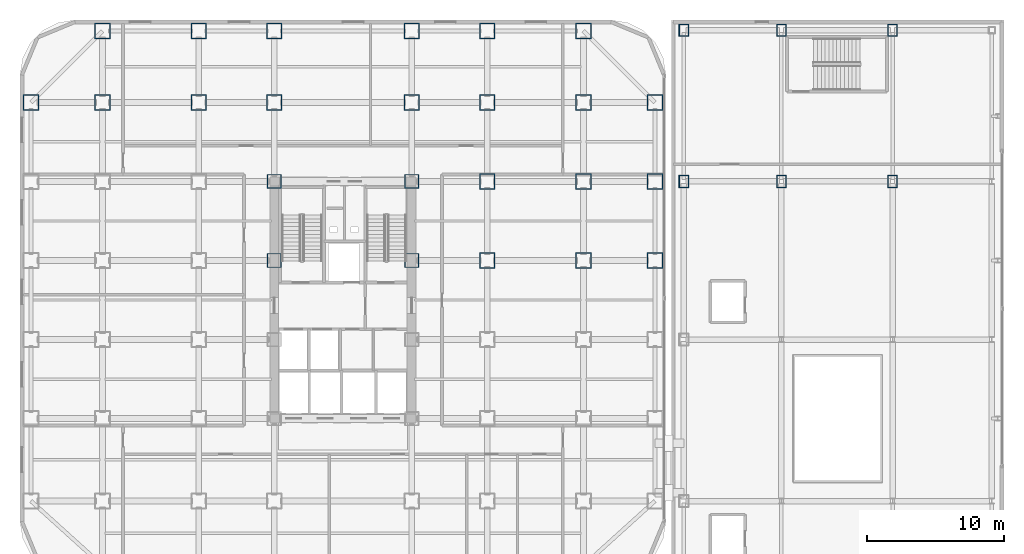
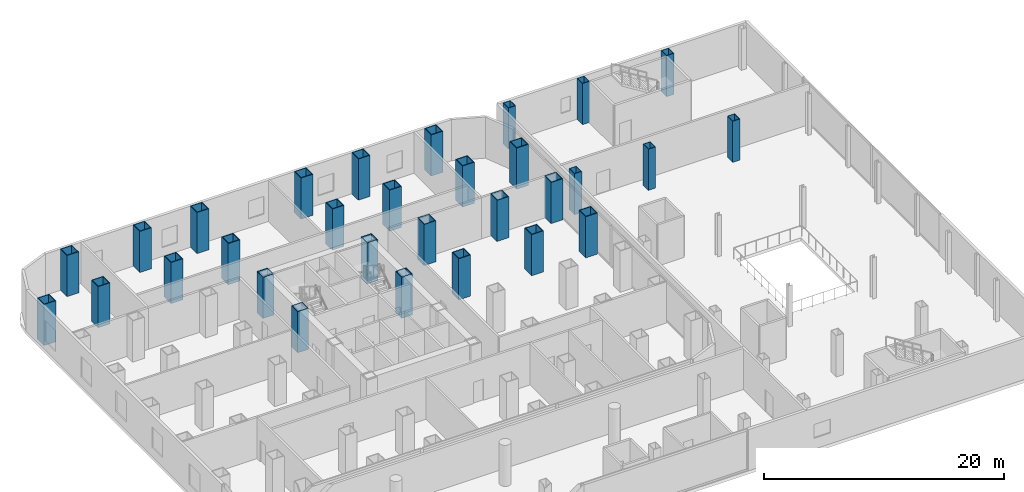
# One storey, part 3 of 26: 30 columns.
"""IFC4 building model written with IfcOpenShell, lengths in metres."""

from ifc_helpers import new_model, si_unit, direction, frame, origin, origin_2d, place, context, subcontext, project, spatial, hollow_rectangle, extrude, source, transform, mapped, material, material_profile, profile_set, type_object, element, save


model = new_model("IFC4")

# Units and contexts
model_context = context("Model", 3, precision=1e-05, world=origin(), true_north=direction((0.0, 1.0)))
body_context = subcontext(model_context, "Body", "Model", "MODEL_VIEW")
ifc_project = project(units=[si_unit("LENGTHUNIT", "METRE"), si_unit("AREAUNIT", "SQUARE_METRE"), si_unit("VOLUMEUNIT", "CUBIC_METRE"), si_unit("PLANEANGLEUNIT", "RADIAN"), si_unit("MASSUNIT", "GRAM", prefix="KILO")], contexts=[model_context])

# Site, building, storey
site_placement = place(None, origin())
site = spatial("IfcSite", under=ifc_project, at=site_placement, CompositionType="ELEMENT")
building_placement = place(site_placement, origin())
building = spatial("IfcBuilding", under=site, at=building_placement, Name="Kolveth Station Tower", CompositionType="ELEMENT")
storey_placement = place(building_placement, frame((0.0, 0.0, 9.0)))
storey = spatial("IfcBuildingStorey", under=building, at=storey_placement, Name="L02", CompositionType="ELEMENT", Elevation=9.0)

# Columns
ifc_material_1 = material(Name="Steel S460", Category="steel")
ifc_material_profile_1 = material_profile(ifc_material_1, hollow_rectangle(XDim=1.139892578125, YDim=1.139892578125, WallThickness=0.070068359375, at=origin_2d()), Name="BOX1140x1140x70")
ifc_profile_set_1 = profile_set([ifc_material_profile_1], Name="Steel S460")
column_type_1 = type_object("IfcColumnType", Name="Col_C1", PredefinedType="COLUMN", material=ifc_profile_set_1)
shared_shape_1 = source(origin(), body_context, "Body", "SweptSolid", [
    extrude(hollow_rectangle(XDim=1.139892578125, YDim=1.139892578125, WallThickness=0.070068359375, at=origin_2d()), origin(), (0.0, 0.0, 1.0), 4.179931640625),
])
for number, where, z_axis, x_axis, name in (
    (1, (6.0, 39.699951171875, 0.0), (0.0, 0.0, 1.0), (1.0, 0.0, 0.0), "L02 Tower Column N-X60"),
    (2, (13.0, 39.699951171875, 0.0), (0.0, 0.0, 1.0), (1.0, 0.0, 0.0), "L02 Tower Column N-X130"),
    (3, (18.5, 39.699951171875, 0.0), (0.0, 0.0, 1.0), (1.0, 0.0, 0.0), "L02 Tower Column N-X185"),
    (4, (28.5, 39.699951171875, 0.0), (0.0, 0.0, 1.0), (1.0, 0.0, 0.0), "L02 Tower Column N-X285"),
    (5, (34.0, 39.699951171875, 0.0), (0.0, 0.0, 1.0), (1.0, 0.0, 0.0), "L02 Tower Column N-X340"),
    (6, (41.0, 39.699951171875, 0.0), (0.0, 0.0, 1.0), (1.0, 0.0, 0.0), "L02 Tower Column N-X410"),
    (7, (46.199951171875, 23.0, 0.0), (0.0, 0.0, 1.0), (1.0, 0.0, 0.0), "L02 Tower Column E-Y230"),
    (8, (46.199951171875, 28.75, 0.0), (0.0, 0.0, 1.0), (1.0, 0.0, 0.0), "L02 Tower Column E-Y287"),
    (9, (0.800048828125, 34.5, 0.0), (0.0, 0.0, 1.0), (1.0, 0.0, 0.0), "L02 Tower Column W-Y345"),
    (10, (46.199951171875, 34.5, 0.0), (0.0, 0.0, 1.0), (1.0, 0.0, 0.0), "L02 Tower Column E-Y345"),
    (11, (6.0, 34.5, 0.0), (0.0, 0.0, 1.0), (1.0, 0.0, 0.0), "L02 Tower Column G-60-345"),
    (12, (13.0, 34.5, 0.0), (0.0, 0.0, 1.0), (1.0, 0.0, 0.0), "L02 Tower Column G-130-345"),
    (13, (18.5, 34.5, 0.0), (0.0, 0.0, 1.0), (1.0, 0.0, 0.0), "L02 Tower Column G-185-345"),
    (14, (28.5, 34.5, 0.0), (0.0, 0.0, 1.0), (1.0, 0.0, 0.0), "L02 Tower Column G-285-345"),
    (15, (34.0, 23.0, 0.0), (0.0, 0.0, 1.0), (1.0, 0.0, 0.0), "L02 Tower Column G-340-230"),
    (16, (34.0, 28.75, 0.0), (0.0, 0.0, 1.0), (1.0, 0.0, 0.0), "L02 Tower Column G-340-287"),
    (17, (34.0, 34.5, 0.0), (0.0, 0.0, 1.0), (1.0, 0.0, 0.0), "L02 Tower Column G-340-345"),
    (18, (41.0, 23.0, 0.0), (0.0, 0.0, 1.0), (1.0, 0.0, 0.0), "L02 Tower Column G-410-230"),
    (19, (41.0, 28.75, 0.0), (0.0, 0.0, 1.0), (1.0, 0.0, 0.0), "L02 Tower Column G-410-287"),
    (20, (41.0, 34.5, 0.0), (0.0, 0.0, 1.0), (1.0, 0.0, 0.0), "L02 Tower Column G-410-345"),
):
    element("IfcColumn", number, at=place(storey_placement, frame(where, z_axis=z_axis, x_axis=x_axis)), inside=storey, type_object=column_type_1, Name=name, PredefinedType="COLUMN", context=body_context, shape_type="MappedRepresentation", body=[
        mapped(shared_shape_1, transform((0.0, 0.0, 0.0), x_axis=(1.0, 0.0, 0.0), y_axis=(0.0, 1.0, 0.0), z_axis=(0.0, 0.0, 1.0), scale=1.0)),
    ])
ifc_material_profile_2 = material_profile(ifc_material_1, hollow_rectangle(XDim=1.0400390625, YDim=1.0400390625, WallThickness=0.06494140625, at=origin_2d()), Name="BOX1040x1040x65")
ifc_profile_set_2 = profile_set([ifc_material_profile_2], Name="Steel S460")
column_type_2 = type_object("IfcColumnType", Name="Col_C2", PredefinedType="COLUMN", material=ifc_profile_set_2)
shared_shape_2 = source(origin(), body_context, "Body", "SweptSolid", [
    extrude(hollow_rectangle(XDim=1.0400390625, YDim=1.0400390625, WallThickness=0.06494140625, at=origin_2d()), origin(), (0.0, 0.0, 1.0), 4.179931640625),
])
for number, where, z_axis, x_axis, name in (
    (21, (18.5, 23.0, 0.0), (0.0, 0.0, 1.0), (1.0, 0.0, 0.0), "L02 Tower Column G-185-230"),
    (22, (18.5, 28.75, 0.0), (0.0, 0.0, 1.0), (1.0, 0.0, 0.0), "L02 Tower Column G-185-287"),
    (23, (28.5, 23.0, 0.0), (0.0, 0.0, 1.0), (1.0, 0.0, 0.0), "L02 Tower Column G-285-230"),
    (24, (28.5, 28.75, 0.0), (0.0, 0.0, 1.0), (1.0, 0.0, 0.0), "L02 Tower Column G-285-287"),
):
    element("IfcColumn", number, at=place(storey_placement, frame(where, z_axis=z_axis, x_axis=x_axis)), inside=storey, type_object=column_type_2, Name=name, PredefinedType="COLUMN", context=body_context, shape_type="MappedRepresentation", body=[
        mapped(shared_shape_2, transform((0.0, 0.0, 0.0), x_axis=(1.0, 0.0, 0.0), y_axis=(0.0, 1.0, 0.0), z_axis=(0.0, 0.0, 1.0), scale=1.0)),
    ])
ifc_material_2 = material(Name="Steel S355", Category="steel")
ifc_material_profile_3 = material_profile(ifc_material_2, hollow_rectangle(XDim=0.699951171875, YDim=0.89990234375, WallThickness=0.0400390625, at=origin_2d()), Name="BOX900x700x40")
ifc_profile_set_3 = profile_set([ifc_material_profile_3], Name="Steel S355")
column_type_3 = type_object("IfcColumnType", Name="Col_SC1", PredefinedType="COLUMN", material=ifc_profile_set_3)
shared_shape_3 = source(origin(), body_context, "Body", "SweptSolid", [
    extrude(hollow_rectangle(XDim=0.699951171875, YDim=0.89990234375, WallThickness=0.0400390625, at=origin_2d()), origin(), (0.0, 0.0, 1.0), 4.179931640625),
])
for number, where, z_axis, x_axis, name in (
    (25, (48.300048828125, 28.75, 0.0), (0.0, 0.0, 1.0), (1.0, 0.0, 0.0), "L02 Station Column SE-1-5"),
    (26, (48.300048828125, 39.75, 0.0), (0.0, 0.0, 1.0), (1.0, 0.0, 0.0), "L02 Station Column SE-1-6"),
    (27, (55.39990234375, 28.75, 0.0), (0.0, 0.0, 1.0), (1.0, 0.0, 0.0), "L02 Station Column SE-2-5"),
    (28, (55.39990234375, 39.75, 0.0), (0.0, 0.0, 1.0), (1.0, 0.0, 0.0), "L02 Station Column SE-2-6"),
    (29, (63.5, 28.75, 0.0), (0.0, 0.0, 1.0), (1.0, 0.0, 0.0), "L02 Station Column SE-3-5"),
    (30, (63.5, 39.75, 0.0), (0.0, 0.0, 1.0), (1.0, 0.0, 0.0), "L02 Station Column SE-3-6"),
):
    element("IfcColumn", number, at=place(storey_placement, frame(where, z_axis=z_axis, x_axis=x_axis)), inside=storey, type_object=column_type_3, Name=name, PredefinedType="COLUMN", context=body_context, shape_type="MappedRepresentation", body=[
        mapped(shared_shape_3, transform((0.0, 0.0, 0.0), x_axis=(1.0, 0.0, 0.0), y_axis=(0.0, 1.0, 0.0), z_axis=(0.0, 0.0, 1.0), scale=1.0)),
    ])

save(model, "model.ifc")
